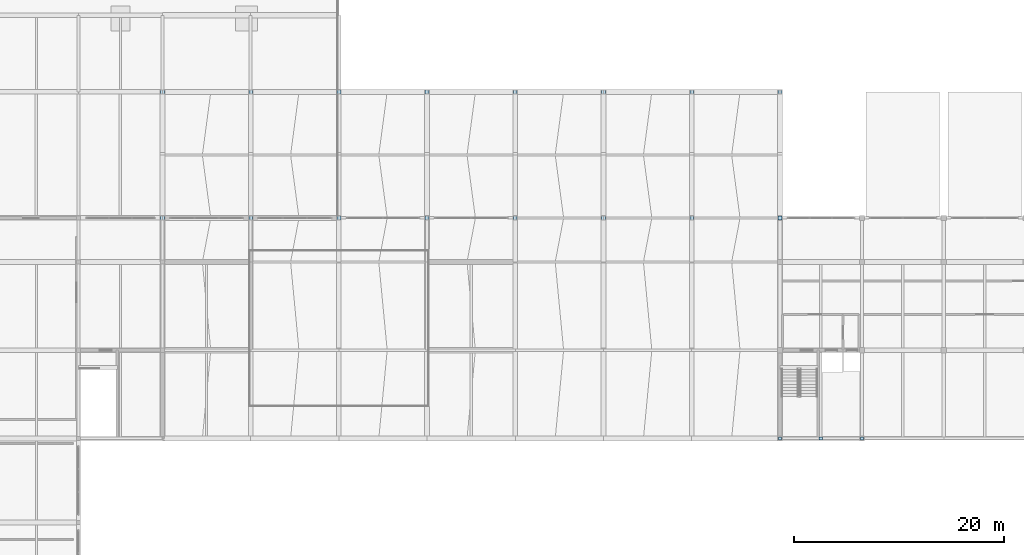
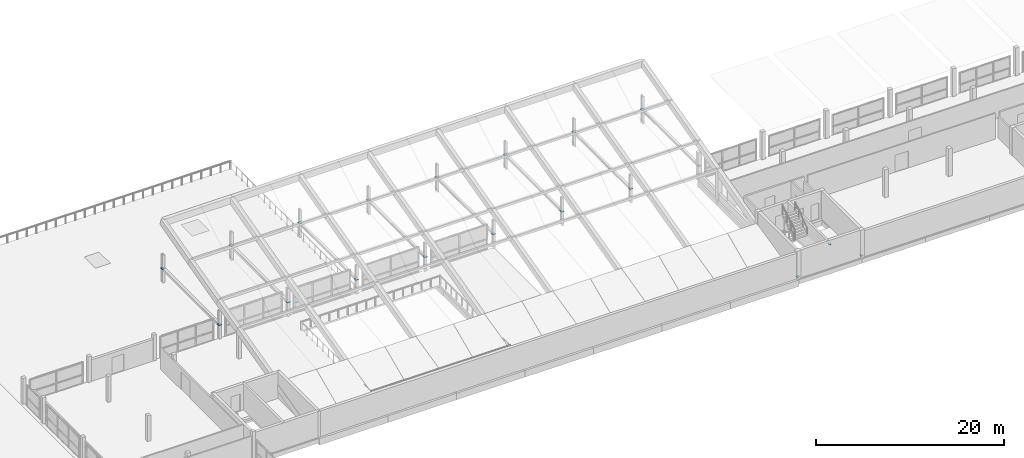
# One storey, part 38 of 51: 19 plates.
"""IFC4 building model written with IfcOpenShell, lengths in metres."""

from ifc_helpers import new_model, si_unit, direction, frame, origin, origin_2d, place, context, subcontext, project, spatial, rectangle, extrude, material, layer, layer_set, type_object, element, save


model = new_model("IFC4")

# Units and contexts
model_context = context("Model", 3, precision=1e-05, world=origin(), true_north=direction((0.0, 1.0)))
body_context = subcontext(model_context, "Body", "Model", "MODEL_VIEW")
ifc_project = project(units=[si_unit("LENGTHUNIT", "METRE"), si_unit("AREAUNIT", "SQUARE_METRE"), si_unit("VOLUMEUNIT", "CUBIC_METRE"), si_unit("PLANEANGLEUNIT", "RADIAN"), si_unit("MASSUNIT", "GRAM", prefix="KILO")], contexts=[model_context])

# Site, building, storey
site_placement = place(None, origin())
site = spatial("IfcSite", under=ifc_project, at=site_placement, CompositionType="ELEMENT")
building_placement = place(site_placement, origin())
building = spatial("IfcBuilding", under=site, at=building_placement, Name="Vharandega Faculty of Natural Sciences", CompositionType="ELEMENT")
storey_placement = place(building_placement, frame((0.0, 0.0, 18.0)))
storey = spatial("IfcBuildingStorey", under=building, at=storey_placement, Name="L04", CompositionType="ELEMENT", Elevation=18.0)

# Plates
ifc_material_1 = material(Name="Steel S355", Category="steel")
ifc_layer_1 = layer(ifc_material_1, 0.02490234375, Name="Steel S355")
ifc_layer_set_1 = layer_set([ifc_layer_1], Name="Steel S355")
plate_type_1 = type_object("IfcPlateType", Name="Hollow Section End Cap Plate 25mm", PredefinedType="USERDEFINED", material=ifc_layer_set_1)
plate_1_placement = place(storey_placement, frame((114.800048828125, 64.0, 0.137451171875), z_axis=(0.0, 0.0, 1.0), x_axis=(1.0, 0.0, 0.0)))
element("IfcPlate", 1, at=plate_1_placement, inside=storey, type_object=plate_type_1, Name="Node Cap Plate CHV-J-L04 #65", ObjectType="CAP PLATE", PredefinedType="USERDEFINED", context=body_context, shape_type="SweptSolid", body=[
    extrude(rectangle(XDim=0.300048828125, YDim=0.300048828125, at=origin_2d()), origin(), (0.0, 0.0, 1.0), 0.02490234375),
])
plate_2_placement = place(storey_placement, frame((118.699951171875, 64.0, 2.99755859375), z_axis=(0.0, 0.0, 1.0), x_axis=(1.0, 0.0, 0.0)))
element("IfcPlate", 2, at=plate_2_placement, inside=storey, type_object=plate_type_1, Name="Node Cap Plate CHV-J-L04 #66", ObjectType="CAP PLATE", PredefinedType="USERDEFINED", context=body_context, shape_type="SweptSolid", body=[
    extrude(rectangle(XDim=0.320068359375, YDim=0.320068359375, at=origin_2d()), origin(), (0.0, 0.0, 1.0), 0.02490234375),
])
plate_3_placement = place(storey_placement, frame((122.60009765625, 64.0, 0.137451171875), z_axis=(0.0, 0.0, 1.0), x_axis=(1.0, 0.0, 0.0)))
element("IfcPlate", 3, at=plate_3_placement, inside=storey, type_object=plate_type_1, Name="Node Cap Plate CHV-J-L04 #67", ObjectType="CAP PLATE", PredefinedType="USERDEFINED", context=body_context, shape_type="SweptSolid", body=[
    extrude(rectangle(XDim=0.300048828125, YDim=0.300048828125, at=origin_2d()), origin(), (0.0, 0.0, 1.0), 0.02490234375),
])
ifc_material_2 = material(Name="Steel S355", Category="steel")
ifc_layer_2 = layer(ifc_material_2, 0.030029296875, Name="Steel S355")
ifc_layer_set_2 = layer_set([ifc_layer_2], Name="Steel S355")
plate_type_2 = type_object("IfcPlateType", Name="Truss Node Gusset Plate 30mm", PredefinedType="SHEET", material=ifc_layer_set_2)
for number, where, z_axis, x_axis, name in (
    (4, (56.0, 85.0, 1.78515625), (0.0, 0.0, 1.0), (1.0, 0.0, 0.0), "Node Cap Plate SHT-8 #43"),
    (5, (56.0, 97.0, 1.78515625), (0.0, 0.0, 1.0), (1.0, 0.0, 0.0), "Node Cap Plate SHT-8 #44"),
    (6, (64.39990234375, 85.0, 1.78515625), (0.0, 0.0, 1.0), (1.0, 0.0, 0.0), "Node Cap Plate SHT-9 #45"),
    (7, (64.39990234375, 97.0, 1.78515625), (0.0, 0.0, 1.0), (1.0, 0.0, 0.0), "Node Cap Plate SHT-9 #46"),
    (8, (72.800048828125, 85.0, 1.78515625), (0.0, 0.0, 1.0), (1.0, 0.0, 0.0), "Node Cap Plate SHT-10 #47"),
    (9, (72.800048828125, 97.0, 1.78515625), (0.0, 0.0, 1.0), (1.0, 0.0, 0.0), "Node Cap Plate SHT-10 #48"),
    (10, (81.199951171875, 85.0, 1.78515625), (0.0, 0.0, 1.0), (1.0, 0.0, 0.0), "Node Cap Plate SHT-11 #49"),
    (11, (81.199951171875, 97.0, 1.78515625), (0.0, 0.0, 1.0), (1.0, 0.0, 0.0), "Node Cap Plate SHT-11 #50"),
    (12, (89.60009765625, 85.0, 1.78515625), (0.0, 0.0, 1.0), (1.0, 0.0, 0.0), "Node Cap Plate SHT-12 #51"),
    (13, (89.60009765625, 97.0, 1.78515625), (0.0, 0.0, 1.0), (1.0, 0.0, 0.0), "Node Cap Plate SHT-12 #52"),
    (14, (98.0, 85.0, 1.78515625), (0.0, 0.0, 1.0), (1.0, 0.0, 0.0), "Node Cap Plate SHT-13 #53"),
    (15, (98.0, 97.0, 1.78515625), (0.0, 0.0, 1.0), (1.0, 0.0, 0.0), "Node Cap Plate SHT-13 #54"),
    (16, (106.39990234375, 85.0, 1.78515625), (0.0, 0.0, 1.0), (1.0, 0.0, 0.0), "Node Cap Plate SHT-14 #55"),
    (17, (106.39990234375, 97.0, 1.78515625), (0.0, 0.0, 1.0), (1.0, 0.0, 0.0), "Node Cap Plate SHT-14 #56"),
    (18, (114.800048828125, 85.0, 1.78515625), (0.0, 0.0, 1.0), (1.0, 0.0, 0.0), "Node Cap Plate SHT-15 #57"),
    (19, (114.800048828125, 97.0, 1.78515625), (0.0, 0.0, 1.0), (1.0, 0.0, 0.0), "Node Cap Plate SHT-15 #58"),
):
    element("IfcPlate", number, at=place(storey_placement, frame(where, z_axis=z_axis, x_axis=x_axis)), inside=storey, type_object=plate_type_2, Name=name, PredefinedType="SHEET", context=body_context, shape_type="SweptSolid", body=[
        extrude(rectangle(XDim=0.360107421875, YDim=0.360107421875, at=origin_2d()), origin(), (0.0, 0.0, 1.0), 0.030029296875),
    ])

save(model, "model.ifc")
